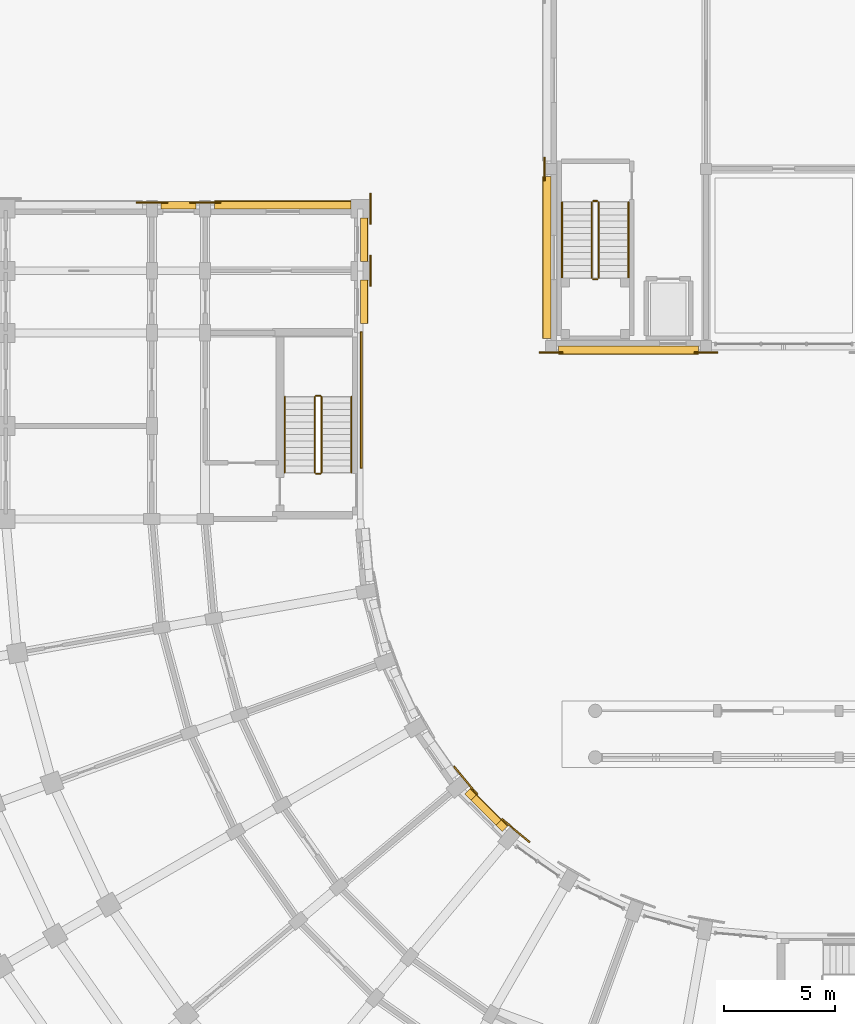
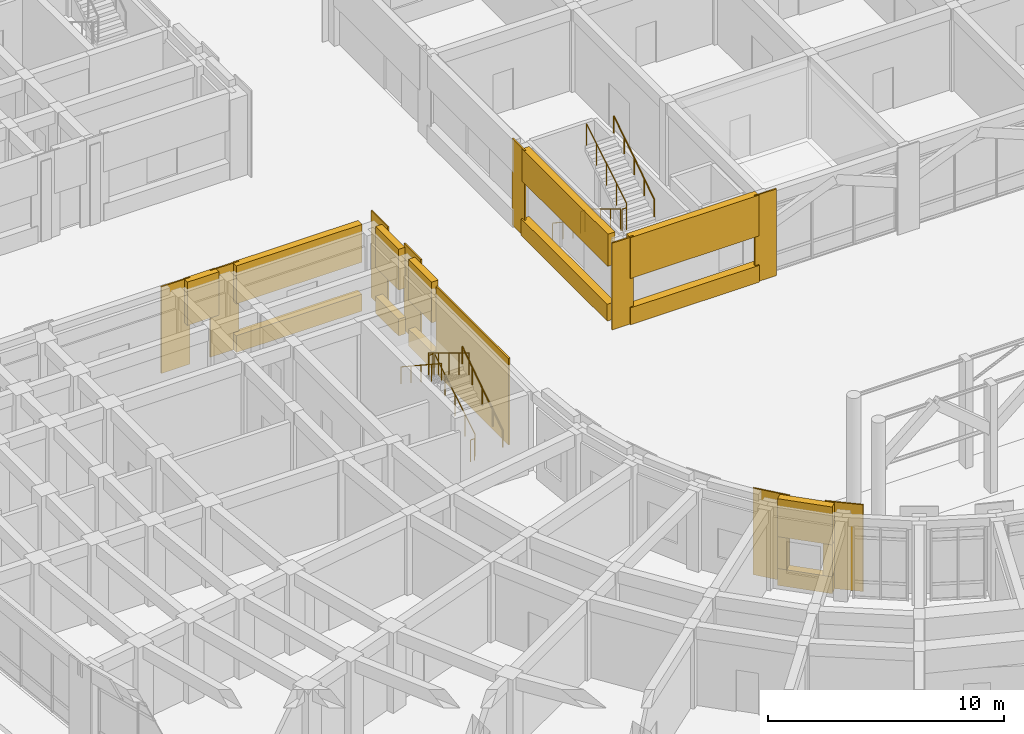
# One storey, part 119 of 135: 25 coverings, 12 railings.
"""IFC4 building model written with IfcOpenShell, lengths in metres."""

import ifcopenshell
import ifcopenshell.guid

model = None  # the IFC model being written
_history = None  # IfcOwnerHistory: only IFC2X3 demands one
_inside = {}  # id of a spatial element -> (the spatial element, [elements in it])
_under = {}  # id of a project, library or spatial element -> (it, [spatial elements below it])
_declared = {}  # id of a project -> (the project, [libraries it declares])
_typed = {}  # id of a type object -> (the type object, [elements of that type])
_made_of = {}  # id of a material, layer set ... -> (it, [elements and type objects made of it])


def new_model(schema):
    """Start an empty IFC model of exactly this schema.

    Asked for "IFC4X3", IfcOpenShell would pick the latest addendum, in which some entities
    have other attributes; the version numbers below select the first issue.
    IFC2X3 requires an IfcOwnerHistory on every rooted entity: one is made here for all.
    """
    global model, _history
    if schema == "IFC4X3":
        model = ifcopenshell.file(schema_version=(4, 3, 0, 0))
    else:
        model = ifcopenshell.file(schema=schema)
    _inside.clear()
    _under.clear()
    _declared.clear()
    _typed.clear()
    _made_of.clear()
    _history = None
    if model.schema == "IFC2X3":
        org = make("IfcOrganization", Name="unknown")
        user = make(
            "IfcPersonAndOrganization",
            ThePerson=make("IfcPerson", FamilyName="unknown"),
            TheOrganization=org,
        )
        app = make(
            "IfcApplication",
            ApplicationDeveloper=org,
            Version="unknown",
            ApplicationFullName="unknown",
            ApplicationIdentifier="unknown",
        )
        _history = make(
            "IfcOwnerHistory",
            OwningUser=user,
            OwningApplication=app,
            ChangeAction="ADDED",
            CreationDate=0,
        )
    return model


def make(cls, **values):
    """One entity of the class cls with the attributes given. An attribute that is None is left unset."""
    return model.create_entity(
        cls, **{name: value for name, value in values.items() if value is not None}
    )


def rooted(cls, **values):
    """An entity with a GlobalId (a new one), such as an element, a storey or a relation."""
    return make(cls, GlobalId=ifcopenshell.guid.new(), OwnerHistory=_history, **values)


def si_unit(unit_type, name, prefix=None):
    """IfcSIUnit, for example si_unit("LENGTHUNIT", "METRE", prefix="MILLI")."""
    return make("IfcSIUnit", UnitType=unit_type, Prefix=prefix, Name=name)


def assignment(units):
    """IfcUnitAssignment: the units of a project."""
    return None if units is None else make("IfcUnitAssignment", Units=units)


def point(xyz):
    """IfcCartesianPoint."""
    return None if xyz is None else make("IfcCartesianPoint", Coordinates=xyz)


def direction(xyz):
    """IfcDirection."""
    return None if xyz is None else make("IfcDirection", DirectionRatios=xyz)


def frame(location, z_axis=None, x_axis=None):
    """IfcAxis2Placement3D, a coordinate frame: its origin and axes. An axis left out is left unset."""
    return make(
        "IfcAxis2Placement3D",
        Location=point(location),
        Axis=direction(z_axis),
        RefDirection=direction(x_axis),
    )


def frame_2d(location, x_axis=None):
    """IfcAxis2Placement2D, a coordinate frame in the plane: its origin and x axis."""
    return make(
        "IfcAxis2Placement2D", Location=point(location), RefDirection=direction(x_axis)
    )


def origin():
    """The frame at (0, 0, 0) with its axes left unset."""
    return frame((0.0, 0.0, 0.0))


def origin_2d():
    """The frame at (0, 0) in the plane with its x axis left unset."""
    return frame_2d((0.0, 0.0))


def place(relative_to, where):
    """IfcLocalPlacement: puts the frame where relative to a parent placement (None: the world)."""
    return make(
        "IfcLocalPlacement", PlacementRelTo=relative_to, RelativePlacement=where
    )


def context(
    kind, dimensions, precision=None, world=None, true_north=None, identifier=None
):
    """IfcGeometricRepresentationContext, for example the 3D "Model" context."""
    return make(
        "IfcGeometricRepresentationContext",
        ContextIdentifier=identifier,
        ContextType=kind,
        CoordinateSpaceDimension=dimensions,
        Precision=precision,
        WorldCoordinateSystem=world,
        TrueNorth=true_north,
    )


def subcontext(parent, identifier, kind, view, scale=None):
    """IfcGeometricRepresentationSubContext, for example "Body" below "Model"."""
    return make(
        "IfcGeometricRepresentationSubContext",
        ContextIdentifier=identifier,
        ContextType=kind,
        ParentContext=parent,
        TargetScale=scale,
        TargetView=view,
    )


def project(units=None, contexts=None):
    """IfcProject with its units and contexts."""
    return rooted(
        "IfcProject",
        Name="project",
        RepresentationContexts=contexts,
        UnitsInContext=assignment(units),
    )


def spatial(cls, under=None, at=None, **own):
    """A site, building, storey or space (cls), placed at a placement, below another one or the project."""
    s = rooted(cls, ObjectPlacement=at, **own)
    if under is not None:
        _under.setdefault(under.id(), (under, []))[1].append(s)
    return s


def polyline(points):
    """IfcPolyline through the points."""
    return make("IfcPolyline", Points=[point(p) for p in points])


def profile(cls, at=None, kind="AREA", **sizes):
    """A parametric profile (cls). Its sizes go by their IFC names, for example OverallWidth=200.0."""
    return make(cls, ProfileType=kind, Position=at, **sizes)


def circle(**sizes):
    """IfcCircleProfileDef."""
    return profile("IfcCircleProfileDef", **sizes)


def outline(outer, holes=None, kind="AREA"):
    """IfcArbitraryClosedProfileDef: a profile drawn as a closed curve; with holes, ...WithVoids."""
    if holes is None:
        return make("IfcArbitraryClosedProfileDef", ProfileType=kind, OuterCurve=outer)
    return make(
        "IfcArbitraryProfileDefWithVoids",
        ProfileType=kind,
        OuterCurve=outer,
        InnerCurves=holes,
    )


def extrude(swept, where, along, depth):
    """IfcExtrudedAreaSolid: the profile swept, set in the frame where, extruded along a direction by depth."""
    return make(
        "IfcExtrudedAreaSolid",
        SweptArea=swept,
        Position=where,
        ExtrudedDirection=direction(along),
        Depth=depth,
    )


def shape(context_of_items, identifier, shape_type, items):
    """IfcShapeRepresentation: the items that make up one representation, for example the "Body"."""
    return make(
        "IfcShapeRepresentation",
        ContextOfItems=context_of_items,
        RepresentationIdentifier=identifier,
        RepresentationType=shape_type,
        Items=items,
    )


def material(Name=None, Category=None):
    """IfcMaterial."""
    return make("IfcMaterial", Name=Name, Category=Category)


def layer(
    of_material, thickness, ventilated=None, Name=None, Category=None, Priority=None
):
    """IfcMaterialLayer: one layer of a wall or slab, of a material (None: an air gap)."""
    return make(
        "IfcMaterialLayer",
        Material=of_material,
        LayerThickness=thickness,
        IsVentilated=ventilated,
        Name=Name,
        Category=Category,
        Priority=Priority,
    )


def layer_set(layers, Name=None):
    """IfcMaterialLayerSet."""
    return make("IfcMaterialLayerSet", MaterialLayers=layers, LayerSetName=Name)


def made_of(thing, what):
    """Note that an element or type object is made of a material, layer set ...; save() writes the relation."""
    if what is not None:
        _made_of.setdefault(what.id(), (what, []))[1].append(thing)
    return thing


def type_object(cls, material=None, **own):
    """A type object (cls), such as IfcWallType, which elements share."""
    return made_of(rooted(cls, **own), material)


def element(
    cls,
    number,
    at=None,
    inside=None,
    cuts=None,
    type_object=None,
    material=None,
    context=None,
    identifier="Body",
    shape_type=None,
    held_by="IfcProductDefinitionShape",
    body=None,
    shapes=None,
    **own,
):
    """One element of the class cls, such as IfcWall. Its Tag is "e" and its number.

    at: its placement. inside: the storey or other place that contains it. cuts: it is an
    opening in that element (IfcRelVoidsElement). A single representation is given by context,
    identifier, shape_type and body (its items); several are given by shapes. held_by: the class
    of the entity that holds the representations. save() writes the other relations.
    """
    e = rooted(cls, Tag="e%d" % number, ObjectPlacement=at, **own)
    if body is not None:
        shapes = [shape(context, identifier, shape_type, body)]
    if shapes is not None:
        e.Representation = make(held_by, Representations=shapes)
    if inside is not None:
        _inside.setdefault(inside.id(), (inside, []))[1].append(e)
    if cuts is not None:
        rooted(
            "IfcRelVoidsElement", RelatingBuildingElement=cuts, RelatedOpeningElement=e
        )
    if type_object is not None:
        _typed.setdefault(type_object.id(), (type_object, []))[1].append(e)
    return made_of(e, material)


def aggregate(whole, parts):
    """IfcRelAggregates: a whole, such as a stair, and the parts it consists of."""
    return rooted("IfcRelAggregates", RelatingObject=whole, RelatedObjects=parts)


def save(model, path):
    """Write the relations noted so far, then the file.

    IfcRelAggregates (storeys below a building ...), IfcRelContainedInSpatialStructure (elements
    in a storey), IfcRelDefinesByType, IfcRelAssociatesMaterial and IfcRelDeclares: one each for
    every whole, place, type object, material and project.
    """
    for whole, parts in _under.values():
        aggregate(whole, parts)
    for where, things in _inside.values():
        rooted(
            "IfcRelContainedInSpatialStructure",
            RelatedElements=things,
            RelatingStructure=where,
        )
    for kind, things in _typed.values():
        rooted("IfcRelDefinesByType", RelatedObjects=things, RelatingType=kind)
    for what, things in _made_of.values():
        rooted("IfcRelAssociatesMaterial", RelatedObjects=things, RelatingMaterial=what)
    for by, libraries in _declared.values():
        rooted("IfcRelDeclares", RelatingContext=by, RelatedDefinitions=libraries)
    model.write(path)


model = new_model("IFC4")

# Units and contexts
model_context = context("Model", 3, precision=1e-05, world=origin(), true_north=direction((0.0, 1.0)))
body_context = subcontext(model_context, "Body", "Model", "MODEL_VIEW")
ifc_project = project(units=[si_unit("LENGTHUNIT", "METRE"), si_unit("AREAUNIT", "SQUARE_METRE"), si_unit("VOLUMEUNIT", "CUBIC_METRE"), si_unit("PLANEANGLEUNIT", "RADIAN"), si_unit("MASSUNIT", "GRAM", prefix="KILO")], contexts=[model_context])

# Site, building, storey
site_placement = place(None, origin())
site = spatial("IfcSite", under=ifc_project, at=site_placement, CompositionType="ELEMENT")
building_placement = place(site_placement, origin())
building = spatial("IfcBuilding", under=site, at=building_placement, Name="Kiranvali Square Residences", CompositionType="ELEMENT")
storey_placement = place(building_placement, origin())
storey = spatial("IfcBuildingStorey", under=building, at=storey_placement, Name="L00", CompositionType="ELEMENT", Elevation=0.0)

# Coverings
ifc_material_1 = material(Name="Honed Porbandar limestone ashlar facade cladding", Category="masonry")
ifc_layer_1 = layer(ifc_material_1, 0.3798828125)
ifc_layer_set_1 = layer_set([ifc_layer_1], Name="Honed Porbandar limestone ashlar facade cladding")
covering_type_1 = type_object("IfcCoveringType", Name="COV-CLAD-JAMB", PredefinedType="CLADDING", material=ifc_layer_set_1)
covering_1_placement = place(storey_placement, frame((0.0, 0.0, 0.8798828125)))
element("IfcCovering", 1, at=covering_1_placement, inside=storey, type_object=covering_type_1, Name="L00 deep limestone window jamb reveal C-L00-GDN-04.L", PredefinedType="CLADDING", context=body_context, shape_type="SweptSolid", body=[
    extrude(outline(polyline([(36.044921875, 34.349853515625), (35.76318359375, 34.631591796875), (35.52294921875, 34.3916015625), (35.804931640625, 34.10986328125), (36.044921875, 34.349853515625)])), origin(), (0.0, 0.0, 1.0), 1.650146484375),
])
covering_2_placement = place(storey_placement, frame((0.0, 0.0, 0.8798828125)))
element("IfcCovering", 2, at=covering_2_placement, inside=storey, type_object=covering_type_1, Name="L00 deep limestone window jamb reveal C-L00-GDN-04.R", PredefinedType="CLADDING", context=body_context, shape_type="SweptSolid", body=[
    extrude(outline(polyline([(34.631591796875, 35.76318359375), (34.349853515625, 36.044921875), (34.10986328125, 35.804931640625), (34.3916015625, 35.52294921875), (34.631591796875, 35.76318359375)])), origin(), (0.0, 0.0, 1.0), 1.650146484375),
])
ifc_layer_2 = layer(ifc_material_1, 0.06494140625)
ifc_layer_set_2 = layer_set([ifc_layer_2], Name="Honed Porbandar limestone ashlar facade cladding")
covering_type_2 = type_object("IfcCoveringType", Name="COV-CLAD-PIER", PredefinedType="CLADDING", material=ifc_layer_set_2)
covering_3_placement = place(storey_placement, frame((0.0, 0.0, 0.0048828125)))
element("IfcCovering", 3, at=covering_3_placement, inside=storey, type_object=covering_type_2, Name="Block C L00 Arm 2 stair limestone ashlar cladding", PredefinedType="CLADDING", context=body_context, shape_type="SweptSolid", body=[
    extrude(outline(polyline([(29.47998046875, 50.5), (29.47998046875, 56.64990234375), (29.402099609375, 56.64990234375), (29.402099609375, 50.5), (29.47998046875, 50.5)])), origin(), (0.0, 0.0, 1.0), 4.490234375),
])
covering_4_placement = place(storey_placement, frame((0.0, 0.0, 0.0048828125)))
element("IfcCovering", 4, at=covering_4_placement, inside=storey, type_object=covering_type_2, Name="L00 Classical limestone pilaster casing CLAD-NR-L00-S0", PredefinedType="CLADDING", context=body_context, shape_type="SweptSolid", body=[
    extrude(outline(polyline([(37.469970703125, 55.681884765625), (38.530029296875, 55.681884765625), (38.530029296875, 55.74951171875), (37.469970703125, 55.74951171875), (37.469970703125, 55.681884765625)])), origin(), (0.0, 0.0, 1.0), 4.490234375),
])
covering_5_placement = place(storey_placement, frame((0.0, 0.0, 0.0048828125)))
element("IfcCovering", 5, at=covering_5_placement, inside=storey, type_object=covering_type_2, Name="L00 Classical limestone pilaster casing CLAD-NR-L00-S1", PredefinedType="CLADDING", context=body_context, shape_type="SweptSolid", body=[
    extrude(outline(polyline([(44.469970703125, 55.681884765625), (45.530029296875, 55.681884765625), (45.530029296875, 55.74951171875), (44.469970703125, 55.74951171875), (44.469970703125, 55.681884765625)])), origin(), (0.0, 0.0, 1.0), 4.490234375),
])
covering_6_placement = place(storey_placement, frame((0.0, 0.0, 0.0048828125)))
element("IfcCovering", 6, at=covering_6_placement, inside=storey, type_object=covering_type_2, Name="L00 Classical limestone pilaster casing CLAD-NR-L00-W1", PredefinedType="CLADDING", context=body_context, shape_type="SweptSolid", body=[
    extrude(outline(polyline([(37.74951171875, 63.469970703125), (37.74951171875, 64.530029296875), (37.681884765625, 64.530029296875), (37.681884765625, 63.469970703125), (37.74951171875, 63.469970703125)])), origin(), (0.0, 0.0, 1.0), 4.490234375),
])
ifc_layer_3 = layer(ifc_material_1, 0.050048828125)
ifc_layer_set_3 = layer_set([ifc_layer_3], Name="Honed Porbandar limestone ashlar facade cladding")
covering_type_3 = type_object("IfcCoveringType", Name="COV-CLAD-PIER-IN", PredefinedType="CLADDING", material=ifc_layer_set_3)
covering_7_placement = place(storey_placement, frame((0.0, 0.0, 0.0048828125)))
element("IfcCovering", 7, at=covering_7_placement, inside=storey, type_object=covering_type_3, Name="L00 Classical garden courtyard pilaster CLAD-PRIN-C-L00-A04", PredefinedType="CLADDING", context=body_context, shape_type="SweptSolid", body=[
    extrude(outline(polyline([(37.064453125, 33.645751953125), (35.800537109375, 34.706298828125), (35.757080078125, 34.654541015625), (37.02099609375, 33.593994140625), (37.064453125, 33.645751953125)])), origin(), (0.0, 0.0, 1.0), 4.490234375),
])
covering_8_placement = place(storey_placement, frame((0.0, 0.0, 0.0048828125)))
element("IfcCovering", 8, at=covering_8_placement, inside=storey, type_object=covering_type_3, Name="L00 Classical garden courtyard pilaster CLAD-PRIN-C-L00-A05", PredefinedType="CLADDING", context=body_context, shape_type="SweptSolid", body=[
    extrude(outline(polyline([(34.706298828125, 35.800537109375), (33.645751953125, 37.064453125), (33.593994140625, 37.02099609375), (34.654541015625, 35.757080078125), (34.706298828125, 35.800537109375)])), origin(), (0.0, 0.0, 1.0), 4.490234375),
])
covering_9_placement = place(storey_placement, frame((0.0, 0.0, 0.0048828125)))
element("IfcCovering", 9, at=covering_9_placement, inside=storey, type_object=covering_type_3, Name="L00 Classical limestone pilaster casing CLAD-PRA2I-C-L00-V112", PredefinedType="CLADDING", context=body_context, shape_type="SweptSolid", body=[
    extrude(outline(polyline([(29.89306640625, 58.695068359375), (29.89306640625, 60.10498046875), (29.825439453125, 60.10498046875), (29.825439453125, 58.695068359375), (29.89306640625, 58.695068359375)])), origin(), (0.0, 0.0, 1.0), 4.490234375),
])
covering_10_placement = place(storey_placement, frame((0.0, 0.0, 0.0048828125)))
element("IfcCovering", 10, at=covering_10_placement, inside=storey, type_object=covering_type_3, Name="L00 Classical limestone pilaster casing CLAD-PRA2I-C-L00-V140", PredefinedType="CLADDING", context=body_context, shape_type="SweptSolid", body=[
    extrude(outline(polyline([(29.89306640625, 61.4951171875), (29.89306640625, 62.905029296875), (29.825439453125, 62.905029296875), (29.825439453125, 61.4951171875), (29.89306640625, 61.4951171875)])), origin(), (0.0, 0.0, 1.0), 4.490234375),
])
ifc_layer_4 = layer(ifc_material_1, 0.054931640625)
ifc_layer_set_4 = layer_set([ifc_layer_4], Name="Honed Porbandar limestone ashlar facade cladding")
covering_type_4 = type_object("IfcCoveringType", Name="COV-CLAD-PIER-UP", PredefinedType="CLADDING", material=ifc_layer_set_4)
covering_11_placement = place(storey_placement, frame((0.0, 0.0, 0.0048828125)))
element("IfcCovering", 11, at=covering_11_placement, inside=storey, type_object=covering_type_4, Name="L00 Classical limestone pilaster casing CLAD-PRA2E-C-L00-R258", PredefinedType="CLADDING", context=body_context, shape_type="SweptSolid", body=[
    extrude(outline(polyline([(23.10498046875, 62.51806640625), (21.695068359375, 62.51806640625), (21.695068359375, 62.450439453125), (23.10498046875, 62.450439453125), (23.10498046875, 62.51806640625)])), origin(), (0.0, 0.0, 1.0), 4.490234375),
])
covering_12_placement = place(storey_placement, frame((0.0, 0.0, 0.0048828125)))
element("IfcCovering", 12, at=covering_12_placement, inside=storey, type_object=covering_type_4, Name="L00 Classical limestone pilaster casing CLAD-PRA2E-C-L00-R282", PredefinedType="CLADDING", context=body_context, shape_type="SweptSolid", body=[
    extrude(outline(polyline([(20.705078125, 62.51806640625), (19.294921875, 62.51806640625), (19.294921875, 62.450439453125), (20.705078125, 62.450439453125), (20.705078125, 62.51806640625)])), origin(), (0.0, 0.0, 1.0), 4.490234375),
])
ifc_layer_5 = layer(ifc_material_1, 0.360107421875)
ifc_layer_set_5 = layer_set([ifc_layer_5], Name="Honed Porbandar limestone ashlar facade cladding")
covering_type_5 = type_object("IfcCoveringType", Name="COV-CLAD-WALL", PredefinedType="CLADDING", material=ifc_layer_set_5)
covering_13_placement = place(storey_placement, frame((0.0, 0.0, 2.530029296875)))
element("IfcCovering", 13, at=covering_13_placement, inside=storey, type_object=covering_type_5, Name="L00 light limestone spandrel lintel C-L00-GDN-04", PredefinedType="CLADDING", context=body_context, shape_type="SweptSolid", body=[
    extrude(outline(polyline([(36.044921875, 34.349853515625), (34.349853515625, 36.044921875), (34.10986328125, 35.804931640625), (35.804931640625, 34.10986328125), (36.044921875, 34.349853515625)])), origin(), (0.0, 0.0, 1.0), 1.965087890625),
])
covering_14_placement = place(storey_placement, frame((0.0, 0.0, 2.3798828125)))
element("IfcCovering", 14, at=covering_14_placement, inside=storey, type_object=covering_type_5, Name="L00 light limestone spandrel lintel C-L00-A2I-0", PredefinedType="CLADDING", context=body_context, shape_type="SweptSolid", body=[
    extrude(outline(polyline([(29.719970703125, 57.02001953125), (29.719970703125, 58.97998046875), (29.400390625, 58.97998046875), (29.400390625, 57.02001953125), (29.719970703125, 57.02001953125)])), origin(), (0.0, 0.0, 1.0), 2.115234375),
])
covering_15_placement = place(storey_placement, frame((0.0, 0.0, 0.0048828125)))
element("IfcCovering", 15, at=covering_15_placement, inside=storey, type_object=covering_type_5, Name="L00 limestone window sill apron C-L00-A2I-0", PredefinedType="CLADDING", context=body_context, shape_type="SweptSolid", body=[
    extrude(outline(polyline([(29.75, 57.02001953125), (29.75, 58.97998046875), (29.400390625, 58.97998046875), (29.400390625, 57.02001953125), (29.75, 57.02001953125)])), origin(), (0.0, 0.0, 1.0), 0.875),
])
covering_16_placement = place(storey_placement, frame((0.0, 0.0, 2.3798828125)))
element("IfcCovering", 16, at=covering_16_placement, inside=storey, type_object=covering_type_5, Name="L00 light limestone spandrel lintel C-L00-A2I-1", PredefinedType="CLADDING", context=body_context, shape_type="SweptSolid", body=[
    extrude(outline(polyline([(29.719970703125, 59.820068359375), (29.719970703125, 61.780029296875), (29.400390625, 61.780029296875), (29.400390625, 59.820068359375), (29.719970703125, 59.820068359375)])), origin(), (0.0, 0.0, 1.0), 2.115234375),
])
covering_17_placement = place(storey_placement, frame((0.0, 0.0, 0.0048828125)))
element("IfcCovering", 17, at=covering_17_placement, inside=storey, type_object=covering_type_5, Name="L00 limestone window sill apron C-L00-A2I-1", PredefinedType="CLADDING", context=body_context, shape_type="SweptSolid", body=[
    extrude(outline(polyline([(29.75, 59.820068359375), (29.75, 61.780029296875), (29.400390625, 61.780029296875), (29.400390625, 59.820068359375), (29.75, 59.820068359375)])), origin(), (0.0, 0.0, 1.0), 0.875),
])
covering_18_placement = place(storey_placement, frame((0.0, 0.0, 2.530029296875)))
element("IfcCovering", 18, at=covering_18_placement, inside=storey, type_object=covering_type_5, Name="L00 light limestone spandrel lintel C-L00-A2END-0", PredefinedType="CLADDING", context=body_context, shape_type="SweptSolid", body=[
    extrude(outline(polyline([(28.97998046875, 62.5400390625), (22.820068359375, 62.5400390625), (22.820068359375, 62.200439453125), (28.97998046875, 62.200439453125), (28.97998046875, 62.5400390625)])), origin(), (0.0, 0.0, 1.0), 1.965087890625),
])
covering_19_placement = place(storey_placement, frame((0.0, 0.0, 0.0048828125)))
element("IfcCovering", 19, at=covering_19_placement, inside=storey, type_object=covering_type_5, Name="L00 limestone window sill apron C-L00-A2END-0", PredefinedType="CLADDING", context=body_context, shape_type="SweptSolid", body=[
    extrude(outline(polyline([(28.97998046875, 62.570068359375), (22.820068359375, 62.570068359375), (22.820068359375, 62.200439453125), (28.97998046875, 62.200439453125), (28.97998046875, 62.570068359375)])), origin(), (0.0, 0.0, 1.0), 0.875),
])
covering_20_placement = place(storey_placement, frame((0.0, 0.0, 2.25)))
element("IfcCovering", 20, at=covering_20_placement, inside=storey, type_object=covering_type_5, Name="L00 light limestone spandrel lintel C-L00-A2END-1", PredefinedType="CLADDING", context=body_context, shape_type="SweptSolid", body=[
    extrude(outline(polyline([(21.97998046875, 62.5400390625), (20.419921875, 62.5400390625), (20.419921875, 62.200439453125), (21.97998046875, 62.200439453125), (21.97998046875, 62.5400390625)])), origin(), (0.0, 0.0, 1.0), 2.2451171875),
])
covering_21_placement = place(storey_placement, frame((0.0, 0.0, 2.3798828125)))
element("IfcCovering", 21, at=covering_21_placement, inside=storey, type_object=covering_type_5, Name="L00 light limestone spandrel lintel NR-L00-S-0", PredefinedType="CLADDING", context=body_context, shape_type="SweptSolid", body=[
    extrude(outline(polyline([(38.35009765625, 55.64990234375), (44.64990234375, 55.64990234375), (44.64990234375, 55.99951171875), (38.35009765625, 55.99951171875), (38.35009765625, 55.64990234375)])), origin(), (0.0, 0.0, 1.0), 2.115234375),
])
covering_22_placement = place(storey_placement, frame((0.0, 0.0, 0.0048828125)))
element("IfcCovering", 22, at=covering_22_placement, inside=storey, type_object=covering_type_5, Name="L00 limestone window sill apron NR-L00-S-0", PredefinedType="CLADDING", context=body_context, shape_type="SweptSolid", body=[
    extrude(outline(polyline([(38.35009765625, 55.6201171875), (44.64990234375, 55.6201171875), (44.64990234375, 55.99951171875), (38.35009765625, 55.99951171875), (38.35009765625, 55.6201171875)])), origin(), (0.0, 0.0, 1.0), 0.875),
])
covering_23_placement = place(storey_placement, frame((0.0, 0.0, 2.830078125)))
element("IfcCovering", 23, at=covering_23_placement, inside=storey, type_object=covering_type_5, Name="L00 light limestone spandrel lintel NR-L00-W-0", PredefinedType="CLADDING", context=body_context, shape_type="SweptSolid", body=[
    extrude(outline(polyline([(37.99951171875, 56.35009765625), (37.99951171875, 63.64990234375), (37.64990234375, 63.64990234375), (37.64990234375, 56.35009765625), (37.99951171875, 56.35009765625)])), origin(), (0.0, 0.0, 1.0), 1.6650390625),
])
covering_24_placement = place(storey_placement, frame((0.0, 0.0, 0.0048828125)))
element("IfcCovering", 24, at=covering_24_placement, inside=storey, type_object=covering_type_5, Name="L00 limestone window sill apron NR-L00-W-0", PredefinedType="CLADDING", context=body_context, shape_type="SweptSolid", body=[
    extrude(outline(polyline([(37.99951171875, 56.35009765625), (37.99951171875, 63.64990234375), (37.6201171875, 63.64990234375), (37.6201171875, 56.35009765625), (37.99951171875, 56.35009765625)])), origin(), (0.0, 0.0, 1.0), 0.875),
])
ifc_layer_6 = layer(ifc_material_1, 0.2900390625)
ifc_layer_set_6 = layer_set([ifc_layer_6], Name="Honed Porbandar limestone ashlar facade cladding")
covering_type_6 = type_object("IfcCoveringType", Name="COV-CLAD-WALL-IN", PredefinedType="CLADDING", material=ifc_layer_set_6)
covering_25_placement = place(storey_placement, frame((0.0, 0.0, 0.0048828125)))
element("IfcCovering", 25, at=covering_25_placement, inside=storey, type_object=covering_type_6, Name="L00 limestone window sill apron C-L00-GDN-04", PredefinedType="CLADDING", context=body_context, shape_type="SweptSolid", body=[
    extrude(outline(polyline([(36.066162109375, 34.37109375), (34.37109375, 36.066162109375), (34.10986328125, 35.804931640625), (35.804931640625, 34.10986328125), (36.066162109375, 34.37109375)])), origin(), (0.0, 0.0, 1.0), 0.875),
])

# Railings
ifc_material_2 = material(Name="Brushed stainless steel tubular handrail", Category="steel")
railing_type_1 = type_object("IfcRailingType", Name="RL-HANDRAIL-900", PredefinedType="HANDRAIL", material=ifc_material_2)
railing_1_placement = place(storey_placement, frame((29.0, 50.300048828125, 0.173095703125)))
element("IfcRailing", 26, at=railing_1_placement, inside=storey, type_object=railing_type_1, Name="L00 ST-C3 stair handrail 1", PredefinedType="HANDRAIL", context=body_context, shape_type="SweptSolid", body=[
    extrude(circle(Radius=0.02392578125, at=origin_2d()), frame((0.0, 0.0, 0.8759765625), z_axis=(0.0, 0.835411317272, 0.549625264133), x_axis=(-1.0, 0.0, 0.0)), (0.0, 0.0, 1.0), 4.09375),
    extrude(circle(Radius=0.02099609375, at=origin_2d()), origin(), (0.0, 0.0, 1.0), 0.851806640625),
    extrude(circle(Radius=0.02099609375, at=origin_2d()), frame((0.0, 0.85498046875, 0.5625)), (0.0, 0.0, 1.0), 0.851806640625),
    extrude(circle(Radius=0.02099609375, at=origin_2d()), frame((0.0, 1.7099609375, 1.125)), (0.0, 0.0, 1.0), 0.851806640625),
    extrude(circle(Radius=0.02099609375, at=origin_2d()), frame((0.0, 2.56494140625, 1.6875)), (0.0, 0.0, 1.0), 0.851806640625),
    extrude(circle(Radius=0.02099609375, at=origin_2d()), frame((0.0, 3.419921875, 2.25)), (0.0, 0.0, 1.0), 0.851806640625),
])
for number, where, name in (
    (27, (26.0, 53.719970703125, 2.423095703125), "L00 ST-C3 stair handrail 2"),
    (28, (38.5, 62.5, 0.173095703125), "L00 ST-NR1 stair handrail 1"),
):
    element("IfcRailing", number, at=place(storey_placement, frame(where)), inside=storey, type_object=railing_type_1, Name=name, PredefinedType="HANDRAIL", context=body_context, shape_type="SweptSolid", body=[
        extrude(circle(Radius=0.02392578125, at=origin_2d()), frame((0.0, 0.0, 0.8759765625), z_axis=(0.0, -0.835411317272, 0.549625264133), x_axis=(1.0, 0.0, 0.0)), (0.0, 0.0, 1.0), 4.09375),
        extrude(circle(Radius=0.02099609375, at=origin_2d()), origin(), (0.0, 0.0, 1.0), 0.851806640625),
        extrude(circle(Radius=0.02099609375, at=origin_2d()), frame((0.0, -0.85498046875, 0.5625)), (0.0, 0.0, 1.0), 0.851806640625),
        extrude(circle(Radius=0.02099609375, at=origin_2d()), frame((0.0, -1.7099609375, 1.125)), (0.0, 0.0, 1.0), 0.851806640625),
        extrude(circle(Radius=0.02099609375, at=origin_2d()), frame((0.0, -2.56494140625, 1.6875)), (0.0, 0.0, 1.0), 0.851806640625),
        extrude(circle(Radius=0.02099609375, at=origin_2d()), frame((0.0, -3.419921875, 2.25)), (0.0, 0.0, 1.0), 0.851806640625),
    ])
railing_2_placement = place(storey_placement, frame((41.5, 59.080078125, 2.423095703125)))
element("IfcRailing", 29, at=railing_2_placement, inside=storey, type_object=railing_type_1, Name="L00 ST-NR1 stair handrail 2", PredefinedType="HANDRAIL", context=body_context, shape_type="SweptSolid", body=[
    extrude(circle(Radius=0.02392578125, at=origin_2d()), frame((0.0, 0.0, 0.8759765625), z_axis=(0.0, 0.835411317272, 0.549625264133), x_axis=(-1.0, 0.0, 0.0)), (0.0, 0.0, 1.0), 4.09375),
    extrude(circle(Radius=0.02099609375, at=origin_2d()), origin(), (0.0, 0.0, 1.0), 0.851806640625),
    extrude(circle(Radius=0.02099609375, at=origin_2d()), frame((0.0, 0.85498046875, 0.5625)), (0.0, 0.0, 1.0), 0.851806640625),
    extrude(circle(Radius=0.02099609375, at=origin_2d()), frame((0.0, 1.7099609375, 1.125)), (0.0, 0.0, 1.0), 0.851806640625),
    extrude(circle(Radius=0.02099609375, at=origin_2d()), frame((0.0, 2.56494140625, 1.6875)), (0.0, 0.0, 1.0), 0.851806640625),
    extrude(circle(Radius=0.02099609375, at=origin_2d()), frame((0.0, 3.419921875, 2.25)), (0.0, 0.0, 1.0), 0.851806640625),
])
ifc_material_3 = material(Name="Powder-coated architectural bronze balustrade", Category="steel")
railing_type_2 = type_object("IfcRailingType", Name="RL-ST-GUARD-1200", PredefinedType="GUARDRAIL", material=ifc_material_3)
railing_3_placement = place(storey_placement, frame((27.64990234375, 50.300048828125, 0.173095703125)))
element("IfcRailing", 30, at=railing_3_placement, inside=storey, type_object=railing_type_2, Name="L00 ST-C3 stair guard 1", PredefinedType="GUARDRAIL", context=body_context, shape_type="SweptSolid", body=[
    extrude(circle(Radius=0.02392578125, at=origin_2d()), frame((0.0, 0.0, 1.1259765625), z_axis=(0.0, 0.854729506542, 0.519073665916), x_axis=(-1.0, 0.0, 0.0)), (0.0, 0.0, 1.0), 4.001220703125),
    extrude(circle(Radius=0.02099609375, at=origin_2d()), origin(), (0.0, 0.0, 1.0), 1.101806640625),
    extrude(circle(Radius=0.02099609375, at=origin_2d()), frame((0.0, 0.85498046875, 0.519287109375)), (0.0, 0.0, 1.0), 1.101806640625),
    extrude(circle(Radius=0.02099609375, at=origin_2d()), frame((0.0, 1.7099609375, 1.03857421875)), (0.0, 0.0, 1.0), 1.101806640625),
    extrude(circle(Radius=0.02099609375, at=origin_2d()), frame((0.0, 2.56494140625, 1.5576171875)), (0.0, 0.0, 1.0), 1.101806640625),
    extrude(circle(Radius=0.02099609375, at=origin_2d()), frame((0.0, 3.419921875, 2.076904296875)), (0.0, 0.0, 1.0), 1.101806640625),
])
railing_4_placement = place(storey_placement, frame((27.60009765625, 53.77001953125, 2.25)))
element("IfcRailing", 31, at=railing_4_placement, inside=storey, type_object=railing_type_2, Name="L00 ST-C3 stair guard 2", PredefinedType="GUARDRAIL", context=body_context, shape_type="SweptSolid", body=[
    extrude(circle(Radius=0.02392578125, at=origin_2d()), frame((0.0, 0.0, 1.1259765625), z_axis=(-1.0, 0.0, 0.0), x_axis=(0.0, -1.0, 0.0)), (0.0, 0.0, 1.0), 0.2001953125),
    extrude(circle(Radius=0.02099609375, at=origin_2d()), origin(), (0.0, 0.0, 1.0), 1.101806640625),
    extrude(circle(Radius=0.02099609375, at=origin_2d()), frame((-0.2001953125, 0.0, 0.0)), (0.0, 0.0, 1.0), 1.101806640625),
])
railing_5_placement = place(storey_placement, frame((27.35009765625, 53.719970703125, 2.423095703125)))
element("IfcRailing", 32, at=railing_5_placement, inside=storey, type_object=railing_type_2, Name="L00 ST-C3 stair guard 3", PredefinedType="GUARDRAIL", context=body_context, shape_type="SweptSolid", body=[
    extrude(circle(Radius=0.02392578125, at=origin_2d()), frame((0.0, 0.0, 1.1259765625), z_axis=(0.0, -0.854729506542, 0.519073665916), x_axis=(1.0, 0.0, 0.0)), (0.0, 0.0, 1.0), 4.001220703125),
    extrude(circle(Radius=0.02099609375, at=origin_2d()), origin(), (0.0, 0.0, 1.0), 1.101806640625),
    extrude(circle(Radius=0.02099609375, at=origin_2d()), frame((0.0, -0.85498046875, 0.519287109375)), (0.0, 0.0, 1.0), 1.101806640625),
    extrude(circle(Radius=0.02099609375, at=origin_2d()), frame((0.0, -1.7099609375, 1.03857421875)), (0.0, 0.0, 1.0), 1.101806640625),
    extrude(circle(Radius=0.02099609375, at=origin_2d()), frame((0.0, -2.56494140625, 1.5576171875)), (0.0, 0.0, 1.0), 1.101806640625),
    extrude(circle(Radius=0.02099609375, at=origin_2d()), frame((0.0, -3.419921875, 2.076904296875)), (0.0, 0.0, 1.0), 1.101806640625),
])
railing_6_placement = place(storey_placement, frame((27.60009765625, 50.25, 0.0)))
element("IfcRailing", 33, at=railing_6_placement, inside=storey, type_object=railing_type_2, Name="L00 ST-C3 stair guard 4", PredefinedType="GUARDRAIL", context=body_context, shape_type="SweptSolid", body=[
    extrude(circle(Radius=0.02392578125, at=origin_2d()), frame((0.0, 0.0, 1.1259765625), z_axis=(-1.0, 0.0, 0.0), x_axis=(0.0, -1.0, 0.0)), (0.0, 0.0, 1.0), 0.2001953125),
    extrude(circle(Radius=0.02099609375, at=origin_2d()), origin(), (0.0, 0.0, 1.0), 1.101806640625),
    extrude(circle(Radius=0.02099609375, at=origin_2d()), frame((-0.2001953125, 0.0, 0.0)), (0.0, 0.0, 1.0), 1.101806640625),
])
railing_7_placement = place(storey_placement, frame((39.85009765625, 62.5, 0.173095703125)))
element("IfcRailing", 34, at=railing_7_placement, inside=storey, type_object=railing_type_2, Name="L00 ST-NR1 stair guard 1", PredefinedType="GUARDRAIL", context=body_context, shape_type="SweptSolid", body=[
    extrude(circle(Radius=0.02392578125, at=origin_2d()), frame((0.0, 0.0, 1.1259765625), z_axis=(0.0, -0.854729506542, 0.519073665916), x_axis=(1.0, 0.0, 0.0)), (0.0, 0.0, 1.0), 4.001220703125),
    extrude(circle(Radius=0.02099609375, at=origin_2d()), origin(), (0.0, 0.0, 1.0), 1.101806640625),
    extrude(circle(Radius=0.02099609375, at=origin_2d()), frame((0.0, -0.85498046875, 0.519287109375)), (0.0, 0.0, 1.0), 1.101806640625),
    extrude(circle(Radius=0.02099609375, at=origin_2d()), frame((0.0, -1.7099609375, 1.03857421875)), (0.0, 0.0, 1.0), 1.101806640625),
    extrude(circle(Radius=0.02099609375, at=origin_2d()), frame((0.0, -2.56494140625, 1.5576171875)), (0.0, 0.0, 1.0), 1.101806640625),
    extrude(circle(Radius=0.02099609375, at=origin_2d()), frame((0.0, -3.419921875, 2.076904296875)), (0.0, 0.0, 1.0), 1.101806640625),
])
railing_8_placement = place(storey_placement, frame((39.89990234375, 59.030029296875, 2.25)))
element("IfcRailing", 35, at=railing_8_placement, inside=storey, type_object=railing_type_2, Name="L00 ST-NR1 stair guard 2", PredefinedType="GUARDRAIL", context=body_context, shape_type="SweptSolid", body=[
    extrude(circle(Radius=0.02392578125, at=origin_2d()), frame((0.0, 0.0, 1.1259765625), z_axis=(1.0, 0.0, 0.0), x_axis=(0.0, 1.0, 0.0)), (0.0, 0.0, 1.0), 0.2001953125),
    extrude(circle(Radius=0.02099609375, at=origin_2d()), origin(), (0.0, 0.0, 1.0), 1.101806640625),
    extrude(circle(Radius=0.02099609375, at=origin_2d()), frame((0.2001953125, 0.0, 0.0)), (0.0, 0.0, 1.0), 1.101806640625),
])
railing_9_placement = place(storey_placement, frame((40.14990234375, 59.080078125, 2.423095703125)))
element("IfcRailing", 36, at=railing_9_placement, inside=storey, type_object=railing_type_2, Name="L00 ST-NR1 stair guard 3", PredefinedType="GUARDRAIL", context=body_context, shape_type="SweptSolid", body=[
    extrude(circle(Radius=0.02392578125, at=origin_2d()), frame((0.0, 0.0, 1.1259765625), z_axis=(0.0, 0.854729506542, 0.519073665916), x_axis=(-1.0, 0.0, 0.0)), (0.0, 0.0, 1.0), 4.001220703125),
    extrude(circle(Radius=0.02099609375, at=origin_2d()), origin(), (0.0, 0.0, 1.0), 1.101806640625),
    extrude(circle(Radius=0.02099609375, at=origin_2d()), frame((0.0, 0.85498046875, 0.519287109375)), (0.0, 0.0, 1.0), 1.101806640625),
    extrude(circle(Radius=0.02099609375, at=origin_2d()), frame((0.0, 1.7099609375, 1.03857421875)), (0.0, 0.0, 1.0), 1.101806640625),
    extrude(circle(Radius=0.02099609375, at=origin_2d()), frame((0.0, 2.56494140625, 1.5576171875)), (0.0, 0.0, 1.0), 1.101806640625),
    extrude(circle(Radius=0.02099609375, at=origin_2d()), frame((0.0, 3.419921875, 2.076904296875)), (0.0, 0.0, 1.0), 1.101806640625),
])
railing_10_placement = place(storey_placement, frame((39.89990234375, 62.550048828125, 0.0)))
element("IfcRailing", 37, at=railing_10_placement, inside=storey, type_object=railing_type_2, Name="L00 ST-NR1 stair guard 4", PredefinedType="GUARDRAIL", context=body_context, shape_type="SweptSolid", body=[
    extrude(circle(Radius=0.02392578125, at=origin_2d()), frame((0.0, 0.0, 1.1259765625), z_axis=(1.0, 0.0, 0.0), x_axis=(0.0, 1.0, 0.0)), (0.0, 0.0, 1.0), 0.2001953125),
    extrude(circle(Radius=0.02099609375, at=origin_2d()), origin(), (0.0, 0.0, 1.0), 1.101806640625),
    extrude(circle(Radius=0.02099609375, at=origin_2d()), frame((0.2001953125, 0.0, 0.0)), (0.0, 0.0, 1.0), 1.101806640625),
])

save(model, "model.ifc")
